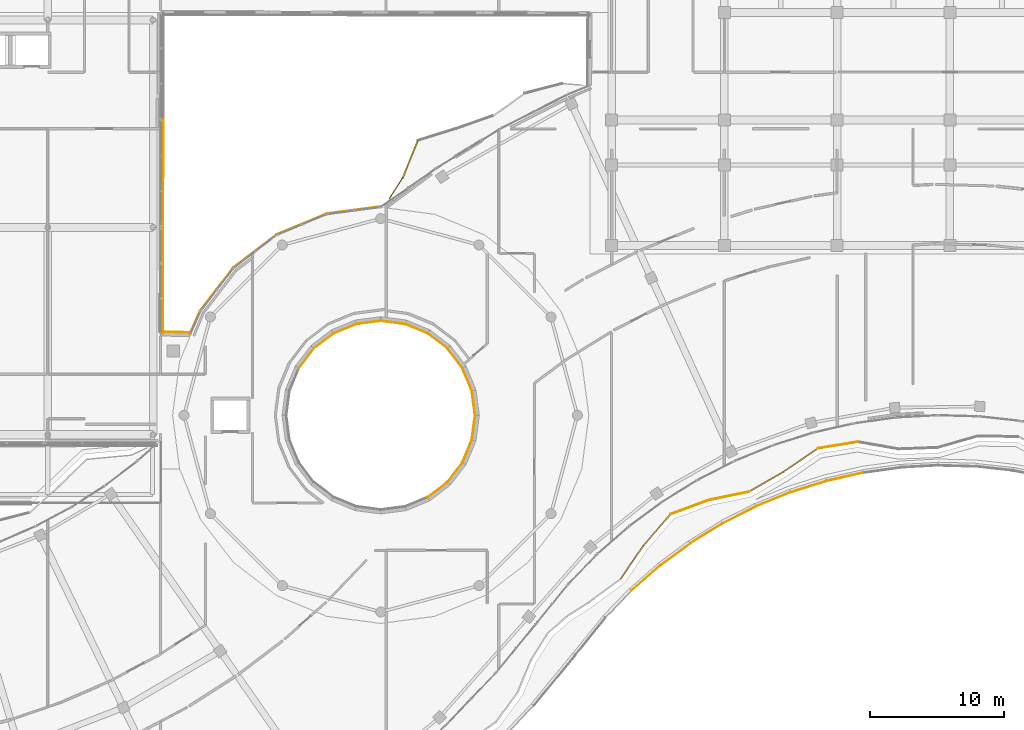
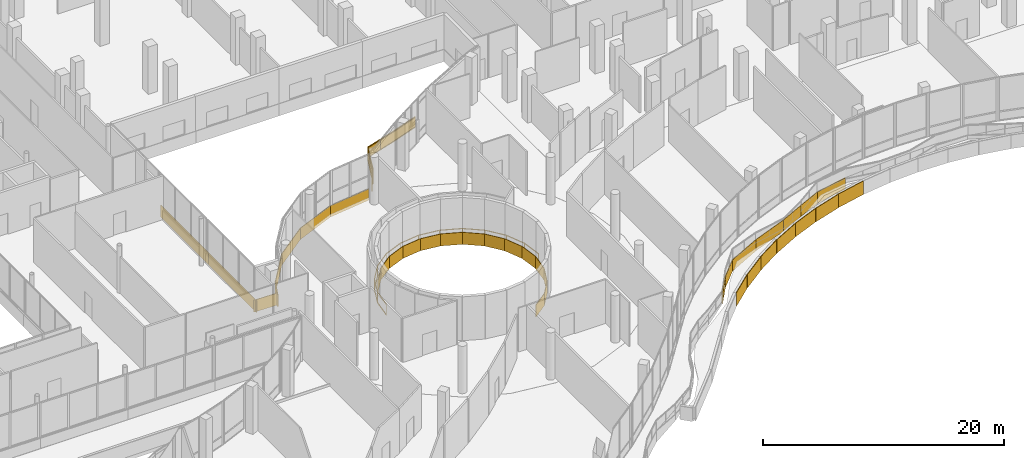
# One storey, part 160 of 168: 37 coverings, 2 railings.
"""IFC4 building model written with IfcOpenShell, lengths in metres."""

import ifcopenshell
import ifcopenshell.guid

model = None  # the IFC model being written
_history = None  # IfcOwnerHistory: only IFC2X3 demands one
_inside = {}  # id of a spatial element -> (the spatial element, [elements in it])
_under = {}  # id of a project, library or spatial element -> (it, [spatial elements below it])
_declared = {}  # id of a project -> (the project, [libraries it declares])
_typed = {}  # id of a type object -> (the type object, [elements of that type])
_made_of = {}  # id of a material, layer set ... -> (it, [elements and type objects made of it])


def new_model(schema):
    """Start an empty IFC model of exactly this schema.

    Asked for "IFC4X3", IfcOpenShell would pick the latest addendum, in which some entities
    have other attributes; the version numbers below select the first issue.
    IFC2X3 requires an IfcOwnerHistory on every rooted entity: one is made here for all.
    """
    global model, _history
    if schema == "IFC4X3":
        model = ifcopenshell.file(schema_version=(4, 3, 0, 0))
    else:
        model = ifcopenshell.file(schema=schema)
    _inside.clear()
    _under.clear()
    _declared.clear()
    _typed.clear()
    _made_of.clear()
    _history = None
    if model.schema == "IFC2X3":
        org = make("IfcOrganization", Name="unknown")
        user = make(
            "IfcPersonAndOrganization",
            ThePerson=make("IfcPerson", FamilyName="unknown"),
            TheOrganization=org,
        )
        app = make(
            "IfcApplication",
            ApplicationDeveloper=org,
            Version="unknown",
            ApplicationFullName="unknown",
            ApplicationIdentifier="unknown",
        )
        _history = make(
            "IfcOwnerHistory",
            OwningUser=user,
            OwningApplication=app,
            ChangeAction="ADDED",
            CreationDate=0,
        )
    return model


def make(cls, **values):
    """One entity of the class cls with the attributes given. An attribute that is None is left unset."""
    return model.create_entity(
        cls, **{name: value for name, value in values.items() if value is not None}
    )


def rooted(cls, **values):
    """An entity with a GlobalId (a new one), such as an element, a storey or a relation."""
    return make(cls, GlobalId=ifcopenshell.guid.new(), OwnerHistory=_history, **values)


def si_unit(unit_type, name, prefix=None):
    """IfcSIUnit, for example si_unit("LENGTHUNIT", "METRE", prefix="MILLI")."""
    return make("IfcSIUnit", UnitType=unit_type, Prefix=prefix, Name=name)


def assignment(units):
    """IfcUnitAssignment: the units of a project."""
    return None if units is None else make("IfcUnitAssignment", Units=units)


def point(xyz):
    """IfcCartesianPoint."""
    return None if xyz is None else make("IfcCartesianPoint", Coordinates=xyz)


def direction(xyz):
    """IfcDirection."""
    return None if xyz is None else make("IfcDirection", DirectionRatios=xyz)


def frame(location, z_axis=None, x_axis=None):
    """IfcAxis2Placement3D, a coordinate frame: its origin and axes. An axis left out is left unset."""
    return make(
        "IfcAxis2Placement3D",
        Location=point(location),
        Axis=direction(z_axis),
        RefDirection=direction(x_axis),
    )


def frame_2d(location, x_axis=None):
    """IfcAxis2Placement2D, a coordinate frame in the plane: its origin and x axis."""
    return make(
        "IfcAxis2Placement2D", Location=point(location), RefDirection=direction(x_axis)
    )


def origin():
    """The frame at (0, 0, 0) with its axes left unset."""
    return frame((0.0, 0.0, 0.0))


def origin_2d():
    """The frame at (0, 0) in the plane with its x axis left unset."""
    return frame_2d((0.0, 0.0))


def place(relative_to, where):
    """IfcLocalPlacement: puts the frame where relative to a parent placement (None: the world)."""
    return make(
        "IfcLocalPlacement", PlacementRelTo=relative_to, RelativePlacement=where
    )


def context(
    kind, dimensions, precision=None, world=None, true_north=None, identifier=None
):
    """IfcGeometricRepresentationContext, for example the 3D "Model" context."""
    return make(
        "IfcGeometricRepresentationContext",
        ContextIdentifier=identifier,
        ContextType=kind,
        CoordinateSpaceDimension=dimensions,
        Precision=precision,
        WorldCoordinateSystem=world,
        TrueNorth=true_north,
    )


def subcontext(parent, identifier, kind, view, scale=None):
    """IfcGeometricRepresentationSubContext, for example "Body" below "Model"."""
    return make(
        "IfcGeometricRepresentationSubContext",
        ContextIdentifier=identifier,
        ContextType=kind,
        ParentContext=parent,
        TargetScale=scale,
        TargetView=view,
    )


def project(units=None, contexts=None):
    """IfcProject with its units and contexts."""
    return rooted(
        "IfcProject",
        Name="project",
        RepresentationContexts=contexts,
        UnitsInContext=assignment(units),
    )


def spatial(cls, under=None, at=None, **own):
    """A site, building, storey or space (cls), placed at a placement, below another one or the project."""
    s = rooted(cls, ObjectPlacement=at, **own)
    if under is not None:
        _under.setdefault(under.id(), (under, []))[1].append(s)
    return s


def polyline(points):
    """IfcPolyline through the points."""
    return make("IfcPolyline", Points=[point(p) for p in points])


def profile(cls, at=None, kind="AREA", **sizes):
    """A parametric profile (cls). Its sizes go by their IFC names, for example OverallWidth=200.0."""
    return make(cls, ProfileType=kind, Position=at, **sizes)


def rectangle(**sizes):
    """IfcRectangleProfileDef."""
    return profile("IfcRectangleProfileDef", **sizes)


def outline(outer, holes=None, kind="AREA"):
    """IfcArbitraryClosedProfileDef: a profile drawn as a closed curve; with holes, ...WithVoids."""
    if holes is None:
        return make("IfcArbitraryClosedProfileDef", ProfileType=kind, OuterCurve=outer)
    return make(
        "IfcArbitraryProfileDefWithVoids",
        ProfileType=kind,
        OuterCurve=outer,
        InnerCurves=holes,
    )


def extrude(swept, where, along, depth):
    """IfcExtrudedAreaSolid: the profile swept, set in the frame where, extruded along a direction by depth."""
    return make(
        "IfcExtrudedAreaSolid",
        SweptArea=swept,
        Position=where,
        ExtrudedDirection=direction(along),
        Depth=depth,
    )


def shape(context_of_items, identifier, shape_type, items):
    """IfcShapeRepresentation: the items that make up one representation, for example the "Body"."""
    return make(
        "IfcShapeRepresentation",
        ContextOfItems=context_of_items,
        RepresentationIdentifier=identifier,
        RepresentationType=shape_type,
        Items=items,
    )


def material(Name=None, Category=None):
    """IfcMaterial."""
    return make("IfcMaterial", Name=Name, Category=Category)


def layer(
    of_material, thickness, ventilated=None, Name=None, Category=None, Priority=None
):
    """IfcMaterialLayer: one layer of a wall or slab, of a material (None: an air gap)."""
    return make(
        "IfcMaterialLayer",
        Material=of_material,
        LayerThickness=thickness,
        IsVentilated=ventilated,
        Name=Name,
        Category=Category,
        Priority=Priority,
    )


def layer_set(layers, Name=None):
    """IfcMaterialLayerSet."""
    return make("IfcMaterialLayerSet", MaterialLayers=layers, LayerSetName=Name)


def made_of(thing, what):
    """Note that an element or type object is made of a material, layer set ...; save() writes the relation."""
    if what is not None:
        _made_of.setdefault(what.id(), (what, []))[1].append(thing)
    return thing


def type_object(cls, material=None, **own):
    """A type object (cls), such as IfcWallType, which elements share."""
    return made_of(rooted(cls, **own), material)


def element(
    cls,
    number,
    at=None,
    inside=None,
    cuts=None,
    type_object=None,
    material=None,
    context=None,
    identifier="Body",
    shape_type=None,
    held_by="IfcProductDefinitionShape",
    body=None,
    shapes=None,
    **own,
):
    """One element of the class cls, such as IfcWall. Its Tag is "e" and its number.

    at: its placement. inside: the storey or other place that contains it. cuts: it is an
    opening in that element (IfcRelVoidsElement). A single representation is given by context,
    identifier, shape_type and body (its items); several are given by shapes. held_by: the class
    of the entity that holds the representations. save() writes the other relations.
    """
    e = rooted(cls, Tag="e%d" % number, ObjectPlacement=at, **own)
    if body is not None:
        shapes = [shape(context, identifier, shape_type, body)]
    if shapes is not None:
        e.Representation = make(held_by, Representations=shapes)
    if inside is not None:
        _inside.setdefault(inside.id(), (inside, []))[1].append(e)
    if cuts is not None:
        rooted(
            "IfcRelVoidsElement", RelatingBuildingElement=cuts, RelatedOpeningElement=e
        )
    if type_object is not None:
        _typed.setdefault(type_object.id(), (type_object, []))[1].append(e)
    return made_of(e, material)


def aggregate(whole, parts):
    """IfcRelAggregates: a whole, such as a stair, and the parts it consists of."""
    return rooted("IfcRelAggregates", RelatingObject=whole, RelatedObjects=parts)


def save(model, path):
    """Write the relations noted so far, then the file.

    IfcRelAggregates (storeys below a building ...), IfcRelContainedInSpatialStructure (elements
    in a storey), IfcRelDefinesByType, IfcRelAssociatesMaterial and IfcRelDeclares: one each for
    every whole, place, type object, material and project.
    """
    for whole, parts in _under.values():
        aggregate(whole, parts)
    for where, things in _inside.values():
        rooted(
            "IfcRelContainedInSpatialStructure",
            RelatedElements=things,
            RelatingStructure=where,
        )
    for kind, things in _typed.values():
        rooted("IfcRelDefinesByType", RelatedObjects=things, RelatingType=kind)
    for what, things in _made_of.values():
        rooted("IfcRelAssociatesMaterial", RelatedObjects=things, RelatingMaterial=what)
    for by, libraries in _declared.values():
        rooted("IfcRelDeclares", RelatingContext=by, RelatedDefinitions=libraries)
    model.write(path)


model = new_model("IFC4")

# Units and contexts
model_context = context("Model", 3, precision=1e-05, world=origin(), true_north=direction((0.0, 1.0)))
body_context = subcontext(model_context, "Body", "Model", "MODEL_VIEW")
ifc_project = project(units=[si_unit("LENGTHUNIT", "METRE"), si_unit("AREAUNIT", "SQUARE_METRE"), si_unit("VOLUMEUNIT", "CUBIC_METRE"), si_unit("PLANEANGLEUNIT", "RADIAN"), si_unit("MASSUNIT", "GRAM", prefix="KILO")], contexts=[model_context])

# Site, building, storey
site_placement = place(None, origin())
site = spatial("IfcSite", under=ifc_project, at=site_placement, CompositionType="ELEMENT")
building_placement = place(site_placement, origin())
building = spatial("IfcBuilding", under=site, at=building_placement, Name="Selatvlak General Hospital", CompositionType="ELEMENT")
storey_placement = place(building_placement, frame((0.0, 0.0, 5.39990234375)))
storey = spatial("IfcBuildingStorey", under=building, at=storey_placement, Name="L01", CompositionType="ELEMENT", Elevation=5.39990234375)

# Coverings
ifc_material_1 = material(Name="PVDF aluminium fascia - ochre yellow", Category="aluminium")
ifc_layer_1 = layer(ifc_material_1, 0.070068359375, Name="PVDF aluminium fascia - ochre yellow", Category="aluminium")
ifc_layer_set_1 = layer_set([ifc_layer_1], Name="PVDF aluminium fascia - ochre yellow")
covering_type_1 = type_object("IfcCoveringType", Name="COV-RB-YEL", PredefinedType="CLADDING", material=ifc_layer_set_1)
covering_1_placement = place(storey_placement, frame((115.885009765625, 41.81005859375, -0.18994140625), z_axis=(0.0, 0.0, 1.0), x_axis=(0.56236074189, 0.826892009867, 0.0)))
element("IfcCovering", 1, at=covering_1_placement, inside=storey, type_object=covering_type_1, Name="L01 De Stijl waving fascia streamer 155", PredefinedType="CLADDING", context=body_context, shape_type="SweptSolid", body=[
    extrude(outline(polyline([(0.0, 0.0), (3.028076171875, -0.529052734375), (3.028076171875, 0.61083984375), (0.0, 1.139892578125), (0.0, 0.0)])), frame((0.0, 0.03515625, 0.0), z_axis=(0.0, -1.0, 0.0), x_axis=(1.0, 0.0, 0.0)), (0.0, 0.0, 1.0), 0.070068359375),
])
covering_2_placement = place(storey_placement, frame((117.589111328125, 44.31494140625, -0.718994140625), z_axis=(0.0, 0.0, 1.0), x_axis=(0.65609781899, 0.754675858841, 0.0)))
element("IfcCovering", 2, at=covering_2_placement, inside=storey, type_object=covering_type_1, Name="L01 De Stijl waving fascia streamer 156", PredefinedType="CLADDING", context=body_context, shape_type="SweptSolid", body=[
    extrude(outline(polyline([(0.0, 0.0), (3.0634765625, -0.4609375), (3.0634765625, 0.678955078125), (0.0, 1.139892578125), (0.0, 0.0)])), frame((0.0, 0.03515625, 0.0), z_axis=(0.0, -1.0, 0.0), x_axis=(1.0, 0.0, 0.0)), (0.0, 0.0, 1.0), 0.070068359375),
])
covering_3_placement = place(storey_placement, frame((119.60009765625, 46.6279296875, -1.179931640625), z_axis=(0.0, 0.0, 1.0), x_axis=(0.937240094393, 0.348684679133, 0.0)))
element("IfcCovering", 3, at=covering_3_placement, inside=storey, type_object=covering_type_1, Name="L01 De Stijl waving fascia streamer 157", PredefinedType="CLADDING", context=body_context, shape_type="SweptSolid", body=[
    extrude(outline(polyline([(0.0, 0.0), (3.05126953125, 0.4169921875), (3.05126953125, 1.556884765625), (0.0, 1.139892578125), (0.0, 0.0)])), frame((0.0, 0.03515625, 0.0), z_axis=(0.0, -1.0, 0.0), x_axis=(1.0, 0.0, 0.0)), (0.0, 0.0, 1.0), 0.070068359375),
])
covering_4_placement = place(storey_placement, frame((122.4609375, 47.69189453125, -0.762939453125), z_axis=(0.0, 0.0, 1.0), x_axis=(0.979746026859, 0.200244158103, 0.0)))
element("IfcCovering", 4, at=covering_4_placement, inside=storey, type_object=covering_type_1, Name="L01 De Stijl waving fascia streamer 158", PredefinedType="CLADDING", context=body_context, shape_type="SweptSolid", body=[
    extrude(outline(polyline([(0.0, 0.0), (3.046875, 0.56201171875), (3.046875, 1.701904296875), (0.0, 1.139892578125), (0.0, 0.0)])), frame((0.0, 0.03515625, 0.0), z_axis=(0.0, -1.0, 0.0), x_axis=(1.0, 0.0, 0.0)), (0.0, 0.0, 1.0), 0.070068359375),
])
covering_5_placement = place(storey_placement, frame((125.447021484375, 48.302978515625, -0.200927734375), z_axis=(0.0, 0.0, 1.0), x_axis=(0.865382777172, 0.501111413733, 0.0)))
element("IfcCovering", 5, at=covering_5_placement, inside=storey, type_object=covering_type_1, Name="L01 De Stijl waving fascia streamer 159", PredefinedType="CLADDING", context=body_context, shape_type="SweptSolid", body=[
    extrude(outline(polyline([(0.0, 0.0), (2.945556640625, -0.279052734375), (2.945556640625, 0.86083984375), (0.0, 1.139892578125), (0.0, 0.0)])), frame((0.0, 0.03515625, 0.0), z_axis=(0.0, -1.0, 0.0), x_axis=(1.0, 0.0, 0.0)), (0.0, 0.0, 1.0), 0.070068359375),
])
covering_6_placement = place(storey_placement, frame((127.998046875, 49.779052734375, -0.47998046875), z_axis=(0.0, 0.0, 1.0), x_axis=(0.824871281948, 0.565320588886, 0.0)))
element("IfcCovering", 6, at=covering_6_placement, inside=storey, type_object=covering_type_1, Name="L01 De Stijl waving fascia streamer 160", PredefinedType="CLADDING", context=body_context, shape_type="SweptSolid", body=[
    extrude(outline(polyline([(0.0, 0.0), (3.10595703125, -0.6298828125), (3.10595703125, 0.510009765625), (0.0, 1.139892578125), (0.0, 0.0)])), frame((0.0, 0.03515625, 0.0), z_axis=(0.0, -1.0, 0.0), x_axis=(1.0, 0.0, 0.0)), (0.0, 0.0, 1.0), 0.070068359375),
])
covering_7_placement = place(storey_placement, frame((130.56103515625, 51.535888671875, -1.10986328125), z_axis=(0.0, 0.0, 1.0), x_axis=(0.98697313626, 0.160885140091, 0.0)))
element("IfcCovering", 7, at=covering_7_placement, inside=storey, type_object=covering_type_1, Name="L01 De Stijl waving fascia streamer 161", PredefinedType="CLADDING", context=body_context, shape_type="SweptSolid", body=[
    extrude(outline(polyline([(0.0, 0.0), (3.00927734375, 0.125), (3.00927734375, 1.264892578125), (0.0, 1.139892578125), (0.0, 0.0)])), frame((0.0, 0.03515625, 0.0), z_axis=(0.0, -1.0, 0.0), x_axis=(1.0, 0.0, 0.0)), (0.0, 0.0, 1.0), 0.070068359375),
])
covering_8_placement = place(storey_placement, frame((100.7548828125, 74.468017578125, -0.2158203125), z_axis=(0.0, 0.0, 1.0), x_axis=(-0.372661677003, -0.927967280939, 0.0)))
element("IfcCovering", 8, at=covering_8_placement, inside=storey, type_object=covering_type_1, Name="L01 De Stijl waving fascia streamer 188", PredefinedType="CLADDING", context=body_context, shape_type="SweptSolid", body=[
    extrude(outline(polyline([(0.0, 0.0), (3.012939453125, -0.321044921875), (3.012939453125, 0.81884765625), (0.0, 1.139892578125), (0.0, 0.0)])), frame((0.0, 0.03515625, 0.0), z_axis=(0.0, -1.0, 0.0), x_axis=(1.0, 0.0, 0.0)), (0.0, 0.0, 1.0), 0.070068359375),
])
ifc_material_2 = material(Name="White Bauhaus fair-faced cladding panel")
ifc_layer_2 = layer(ifc_material_2, 0.054931640625, Name="White Bauhaus fair-faced cladding panel")
ifc_layer_set_2 = layer_set([ifc_layer_2], Name="White Bauhaus fair-faced cladding panel")
covering_type_2 = type_object("IfcCoveringType", Name="COV-WHT1", PredefinedType="CLADDING", material=ifc_layer_set_2)
covering_9_placement = place(storey_placement, frame((82.7099609375, 60.195068359375, -0.27978515625), z_axis=(0.0, 0.0, 1.0), x_axis=(0.999632209807, -0.027119091375, 0.0)))
element("IfcCovering", 9, at=covering_9_placement, inside=storey, type_object=covering_type_2, Name="L01 Bauhaus horizontal white spandrel band 0086", PredefinedType="CLADDING", context=body_context, shape_type="SweptSolid", body=[
    extrude(rectangle(XDim=2.212890625, YDim=0.054931640625, at=origin_2d()), origin(), (0.0, 0.0, 1.0), 1.219970703125),
])
covering_10_placement = place(storey_placement, frame((84.156982421875, 60.89111328125, -0.2998046875), z_axis=(0.0, 0.0, 1.0), x_axis=(0.400301051368, 0.916383690532, 0.0)))
element("IfcCovering", 10, at=covering_10_placement, inside=storey, type_object=covering_type_2, Name="L01 Rotunda white Bauhaus spandrel ring 0087", PredefinedType="CLADDING", context=body_context, shape_type="SweptSolid", body=[
    extrude(rectangle(XDim=1.908935546875, YDim=0.054931640625, at=origin_2d()), origin(), (0.0, 0.0, 1.0), 1.14990234375),
])
for number, where, z_axis, x_axis, name in (
    (11, (85.77587890625, 63.3779296875, -0.2998046875), (0.0, 0.0, 1.0), (0.608747582288, 0.793363965062, 0.0), "L01 Rotunda white Bauhaus spandrel ring 0088"),
    (12, (88.6201171875, 66.221923828125, -0.2998046875), (0.0, 0.0, 1.0), (0.793363965062, 0.608747582288, 0.0), "L01 Rotunda white Bauhaus spandrel ring 0089"),
    (13, (92.10302734375, 68.23291015625, -0.2998046875), (0.0, 0.0, 1.0), (0.923819409341, 0.382828550301, 0.0), "L01 Rotunda white Bauhaus spandrel ring 0090"),
):
    element("IfcCovering", number, at=place(storey_placement, frame(where, z_axis=z_axis, x_axis=x_axis)), inside=storey, type_object=covering_type_2, Name=name, PredefinedType="CLADDING", context=body_context, shape_type="SweptSolid", body=[
        extrude(rectangle(XDim=4.0458984375, YDim=0.054931640625, at=origin_2d()), origin(), (0.0, 0.0, 1.0), 1.14990234375),
    ])
covering_11_placement = place(storey_placement, frame((95.988037109375, 69.27490234375, -0.2998046875), z_axis=(0.0, 0.0, 1.0), x_axis=(0.991419783872, 0.130716533562, 0.0)))
element("IfcCovering", 14, at=covering_11_placement, inside=storey, type_object=covering_type_2, Name="L01 Rotunda white Bauhaus spandrel ring 0091", PredefinedType="CLADDING", context=body_context, shape_type="SweptSolid", body=[
    extrude(rectangle(XDim=4.047119140625, YDim=0.054931640625, at=origin_2d()), origin(), (0.0, 0.0, 1.0), 1.14990234375),
])
for number, where, z_axis, x_axis, name in (
    (15, (81.794921875, 72.030029296875, -0.27978515625), (0.0, 0.0, 1.0), (-0.002513271477, -0.999996841728, 0.0), "L01 Bauhaus horizontal white spandrel band 0098"),
    (16, (81.77490234375, 64.050048828125, -0.27978515625), (0.0, 0.0, 1.0), (-0.002513271477, -0.999996841728, 0.0), "L01 Bauhaus horizontal white spandrel band 0099"),
):
    element("IfcCovering", number, at=place(storey_placement, frame(where, z_axis=z_axis, x_axis=x_axis)), inside=storey, type_object=covering_type_2, Name=name, PredefinedType="CLADDING", context=body_context, shape_type="SweptSolid", body=[
        extrude(rectangle(XDim=7.97998046875, YDim=0.054931640625, at=origin_2d()), origin(), (0.0, 0.0, 1.0), 1.219970703125),
    ])
covering_12_placement = place(storey_placement, frame((100.675048828125, 60.43896484375, -0.27978515625), z_axis=(0.0, 0.0, 1.0), x_axis=(-0.923330901489, 0.384005268657, 0.0)))
element("IfcCovering", 17, at=covering_12_placement, inside=storey, type_object=covering_type_2, Name="L01 Bauhaus horizontal white spandrel band 0100", PredefinedType="CLADDING", context=body_context, shape_type="SweptSolid", body=[
    extrude(rectangle(XDim=1.8798828125, YDim=0.054931640625, at=origin_2d()), origin(), (0.0, 0.0, 1.0), 1.219970703125),
])
covering_13_placement = place(storey_placement, frame((98.9169921875, 60.912109375, -0.27978515625), z_axis=(0.0, 0.0, 1.0), x_axis=(-0.991316813579, 0.131495152443, 0.0)))
element("IfcCovering", 18, at=covering_13_placement, inside=storey, type_object=covering_type_2, Name="L01 Bauhaus horizontal white spandrel band 0101", PredefinedType="CLADDING", context=body_context, shape_type="SweptSolid", body=[
    extrude(rectangle(XDim=1.8779296875, YDim=0.054931640625, at=origin_2d()), origin(), (0.0, 0.0, 1.0), 1.219970703125),
])
covering_14_placement = place(storey_placement, frame((97.097900390625, 60.9140625, -0.27978515625), z_axis=(0.0, 0.0, 1.0), x_axis=(-0.991601332113, -0.129332123433, 0.0)))
element("IfcCovering", 19, at=covering_14_placement, inside=storey, type_object=covering_type_2, Name="L01 Bauhaus horizontal white spandrel band 0102", PredefinedType="CLADDING", context=body_context, shape_type="SweptSolid", body=[
    extrude(rectangle(XDim=1.87890625, YDim=0.054931640625, at=origin_2d()), origin(), (0.0, 0.0, 1.0), 1.219970703125),
])
covering_15_placement = place(storey_placement, frame((95.339111328125, 60.445068359375, -0.27978515625), z_axis=(0.0, 0.0, 1.0), x_axis=(-0.924239792771, -0.381812526586, 0.0)))
element("IfcCovering", 20, at=covering_15_placement, inside=storey, type_object=covering_type_2, Name="L01 Bauhaus horizontal white spandrel band 0103", PredefinedType="CLADDING", context=body_context, shape_type="SweptSolid", body=[
    extrude(rectangle(XDim=1.8798828125, YDim=0.054931640625, at=origin_2d()), origin(), (0.0, 0.0, 1.0), 1.219970703125),
])
for number, where, z_axis, x_axis, name in (
    (21, (93.760986328125, 59.535888671875, -0.27978515625), (0.0, 0.0, 1.0), (-0.79408588232, -0.607805570475, 0.0), "L01 Bauhaus horizontal white spandrel band 0104"),
    (22, (92.472900390625, 58.25, -0.27978515625), (0.0, 0.0, 1.0), (-0.609328984843, -0.792917516662, 0.0), "L01 Bauhaus horizontal white spandrel band 0105"),
    (23, (102.239013671875, 48.464111328125, -0.27978515625), (0.0, 0.0, 1.0), (0.79408588232, 0.607805570475, 0.0), "L01 Bauhaus horizontal white spandrel band 0116"),
    (24, (103.527099609375, 49.75, -0.27978515625), (0.0, 0.0, 1.0), (0.609328984843, 0.792917516662, 0.0), "L01 Bauhaus horizontal white spandrel band 0117"),
):
    element("IfcCovering", number, at=place(storey_placement, frame(where, z_axis=z_axis, x_axis=x_axis)), inside=storey, type_object=covering_type_2, Name=name, PredefinedType="CLADDING", context=body_context, shape_type="SweptSolid", body=[
        extrude(rectangle(XDim=1.87890625, YDim=0.054931640625, at=origin_2d()), origin(), (0.0, 0.0, 1.0), 1.219970703125),
    ])
covering_16_placement = place(storey_placement, frame((104.43896484375, 51.324951171875, -0.27978515625), z_axis=(0.0, 0.0, 1.0), x_axis=(0.384005268657, 0.923330901489, 0.0)))
element("IfcCovering", 25, at=covering_16_placement, inside=storey, type_object=covering_type_2, Name="L01 Bauhaus horizontal white spandrel band 0118", PredefinedType="CLADDING", context=body_context, shape_type="SweptSolid", body=[
    extrude(rectangle(XDim=1.8798828125, YDim=0.054931640625, at=origin_2d()), origin(), (0.0, 0.0, 1.0), 1.219970703125),
])
covering_17_placement = place(storey_placement, frame((104.912109375, 53.0830078125, -0.27978515625), z_axis=(0.0, 0.0, 1.0), x_axis=(0.131495152443, 0.991316813579, 0.0)))
element("IfcCovering", 26, at=covering_17_placement, inside=storey, type_object=covering_type_2, Name="L01 Bauhaus horizontal white spandrel band 0119", PredefinedType="CLADDING", context=body_context, shape_type="SweptSolid", body=[
    extrude(rectangle(XDim=1.8779296875, YDim=0.054931640625, at=origin_2d()), origin(), (0.0, 0.0, 1.0), 1.219970703125),
])
covering_18_placement = place(storey_placement, frame((104.9140625, 54.902099609375, -0.27978515625), z_axis=(0.0, 0.0, 1.0), x_axis=(-0.129332123433, 0.991601332113, 0.0)))
element("IfcCovering", 27, at=covering_18_placement, inside=storey, type_object=covering_type_2, Name="L01 Bauhaus horizontal white spandrel band 0120", PredefinedType="CLADDING", context=body_context, shape_type="SweptSolid", body=[
    extrude(rectangle(XDim=1.87890625, YDim=0.054931640625, at=origin_2d()), origin(), (0.0, 0.0, 1.0), 1.219970703125),
])
covering_19_placement = place(storey_placement, frame((104.445068359375, 56.660888671875, -0.27978515625), z_axis=(0.0, 0.0, 1.0), x_axis=(-0.381812526586, 0.924239792771, 0.0)))
element("IfcCovering", 28, at=covering_19_placement, inside=storey, type_object=covering_type_2, Name="L01 Bauhaus horizontal white spandrel band 0121", PredefinedType="CLADDING", context=body_context, shape_type="SweptSolid", body=[
    extrude(rectangle(XDim=1.8798828125, YDim=0.054931640625, at=origin_2d()), origin(), (0.0, 0.0, 1.0), 1.219970703125),
])
for number, where, z_axis, x_axis, name in (
    (29, (103.535888671875, 58.239013671875, -0.27978515625), (0.0, 0.0, 1.0), (-0.607805570475, 0.79408588232, 0.0), "L01 Bauhaus horizontal white spandrel band 0122"),
    (30, (102.25, 59.527099609375, -0.27978515625), (0.0, 0.0, 1.0), (-0.792917516662, 0.609328984843, 0.0), "L01 Bauhaus horizontal white spandrel band 0123"),
):
    element("IfcCovering", number, at=place(storey_placement, frame(where, z_axis=z_axis, x_axis=x_axis)), inside=storey, type_object=covering_type_2, Name=name, PredefinedType="CLADDING", context=body_context, shape_type="SweptSolid", body=[
        extrude(rectangle(XDim=1.87890625, YDim=0.054931640625, at=origin_2d()), origin(), (0.0, 0.0, 1.0), 1.219970703125),
    ])
covering_20_placement = place(storey_placement, frame((132.580078125, 49.419921875, -0.300048828125), z_axis=(0.0, 0.0, 1.0), x_axis=(-0.975599730687, -0.219556747754, 0.0)))
element("IfcCovering", 31, at=covering_20_placement, inside=storey, type_object=covering_type_2, Name="L01 Roof parapet white Bauhaus coping 0627", PredefinedType="CLADDING", context=body_context, shape_type="SweptSolid", body=[
    extrude(rectangle(XDim=2.81494140625, YDim=0.054931640625, at=origin_2d()), origin(), (0.0, 0.0, 1.0), 1.3701171875),
])
covering_21_placement = place(storey_placement, frame((129.8798828125, 48.68310546875, -0.300048828125), z_axis=(0.0, 0.0, 1.0), x_axis=(-0.953952830356, -0.299956659295, 0.0)))
element("IfcCovering", 32, at=covering_21_placement, inside=storey, type_object=covering_type_2, Name="L01 Roof parapet white Bauhaus coping 0628", PredefinedType="CLADDING", context=body_context, shape_type="SweptSolid", body=[
    extrude(rectangle(XDim=2.81005859375, YDim=0.054931640625, at=origin_2d()), origin(), (0.0, 0.0, 1.0), 1.3701171875),
])
covering_22_placement = place(storey_placement, frame((127.243896484375, 47.741943359375, -0.300048828125), z_axis=(0.0, 0.0, 1.0), x_axis=(-0.925705632534, -0.378244738092, 0.0)))
element("IfcCovering", 33, at=covering_22_placement, inside=storey, type_object=covering_type_2, Name="L01 Roof parapet white Bauhaus coping 0629", PredefinedType="CLADDING", context=body_context, shape_type="SweptSolid", body=[
    extrude(rectangle(XDim=2.81298828125, YDim=0.054931640625, at=origin_2d()), origin(), (0.0, 0.0, 1.0), 1.3701171875),
])
covering_23_placement = place(storey_placement, frame((124.700927734375, 46.56689453125, -0.300048828125), z_axis=(0.0, 0.0, 1.0), x_axis=(-0.891354901099, -0.453306122049, 0.0)))
element("IfcCovering", 34, at=covering_23_placement, inside=storey, type_object=covering_type_2, Name="L01 Roof parapet white Bauhaus coping 0630", PredefinedType="CLADDING", context=body_context, shape_type="SweptSolid", body=[
    extrude(rectangle(XDim=2.81689453125, YDim=0.054931640625, at=origin_2d()), origin(), (0.0, 0.0, 1.0), 1.3701171875),
])
covering_24_placement = place(storey_placement, frame((122.25390625, 45.202880859375, -0.300048828125), z_axis=(0.0, 0.0, 1.0), x_axis=(-0.850444053699, -0.526065501177, 0.0)))
element("IfcCovering", 35, at=covering_24_placement, inside=storey, type_object=covering_type_2, Name="L01 Roof parapet white Bauhaus coping 0631", PredefinedType="CLADDING", context=body_context, shape_type="SweptSolid", body=[
    extrude(rectangle(XDim=2.81103515625, YDim=0.054931640625, at=origin_2d()), origin(), (0.0, 0.0, 1.0), 1.3701171875),
])
covering_25_placement = place(storey_placement, frame((119.94189453125, 43.625, -0.300048828125), z_axis=(0.0, 0.0, 1.0), x_axis=(-0.803991800934, -0.594640382106, 0.0)))
element("IfcCovering", 36, at=covering_25_placement, inside=storey, type_object=covering_type_2, Name="L01 Roof parapet white Bauhaus coping 0632", PredefinedType="CLADDING", context=body_context, shape_type="SweptSolid", body=[
    extrude(rectangle(XDim=2.81298828125, YDim=0.054931640625, at=origin_2d()), origin(), (0.0, 0.0, 1.0), 1.3701171875),
])
covering_26_placement = place(storey_placement, frame((117.7548828125, 41.8759765625, -0.300048828125), z_axis=(0.0, 0.0, 1.0), x_axis=(-0.751954873581, -0.659214584257, 0.0)))
element("IfcCovering", 37, at=covering_26_placement, inside=storey, type_object=covering_type_2, Name="L01 Roof parapet white Bauhaus coping 0633", PredefinedType="CLADDING", context=body_context, shape_type="SweptSolid", body=[
    extrude(rectangle(XDim=2.81396484375, YDim=0.054931640625, at=origin_2d()), origin(), (0.0, 0.0, 1.0), 1.3701171875),
])

# Railings
ifc_material_3 = material(Name="Stainless steel 316 atrium guard", Category="steel")
railing_type_1 = type_object("IfcRailingType", Name="RAIL-ATR", PredefinedType="GUARDRAIL", material=ifc_material_3)
railing_1_placement = place(storey_placement, frame((105.300048828125, 54.0, 0.0)))
element("IfcRailing", 38, at=railing_1_placement, inside=storey, type_object=railing_type_1, Name="L01 rotunda atrium void guard N", PredefinedType="GUARDRAIL", context=body_context, shape_type="SweptSolid", body=[
    extrude(rectangle(XDim=0.068115234375, YDim=0.068115234375, at=origin_2d()), frame((-0.00048828125, 0.0029296875, 1.11572265625), z_axis=(-0.130703112878, 0.991421553268, 0.0), x_axis=(-0.991421553268, -0.130703112878, 0.0)), (0.0, 0.0, 1.0), 1.8994140625),
    extrude(rectangle(XDim=0.068115234375, YDim=0.068115234375, at=origin_2d()), frame((-0.00048828125, 0.0029296875, 0.049072265625), z_axis=(-0.130703112878, 0.991421553268, 0.0), x_axis=(-0.991421553268, -0.130703112878, 0.0)), (0.0, 0.0, 1.0), 1.8994140625),
    extrude(rectangle(XDim=0.068115234375, YDim=0.068115234375, at=origin_2d()), frame((-0.250244140625, 1.8916015625, 1.11572265625), z_axis=(-0.382495099758, 0.923957519944, 0.0), x_axis=(-0.923957519944, -0.382495099758, 0.0)), (0.0, 0.0, 1.0), 1.900146484375),
    extrude(rectangle(XDim=0.068115234375, YDim=0.068115234375, at=origin_2d()), frame((-0.250244140625, 1.8916015625, 0.049072265625), z_axis=(-0.382495099758, 0.923957519944, 0.0), x_axis=(-0.923957519944, -0.382495099758, 0.0)), (0.0, 0.0, 1.0), 1.900146484375),
    extrude(rectangle(XDim=0.068115234375, YDim=0.068115234375, at=origin_2d()), frame((-0.979736328125, 3.65234375, 1.11572265625), z_axis=(-0.608614402838, 0.793466135798, 0.0), x_axis=(-0.793466135798, -0.608614402838, 0.0)), (0.0, 0.0, 1.0), 1.89990234375),
    extrude(rectangle(XDim=0.068115234375, YDim=0.068115234375, at=origin_2d()), frame((-0.979736328125, 3.65234375, 0.049072265625), z_axis=(-0.608614402838, 0.793466135798, 0.0), x_axis=(-0.793466135798, -0.608614402838, 0.0)), (0.0, 0.0, 1.0), 1.89990234375),
    extrude(rectangle(XDim=0.068115234375, YDim=0.068115234375, at=origin_2d()), frame((-2.140380859375, 5.163818359375, 1.11572265625), z_axis=(-0.793466135798, 0.608614402838, 0.0), x_axis=(-0.608614402838, -0.793466135798, 0.0)), (0.0, 0.0, 1.0), 1.89990234375),
    extrude(rectangle(XDim=0.068115234375, YDim=0.068115234375, at=origin_2d()), frame((-2.140380859375, 5.163818359375, 0.049072265625), z_axis=(-0.793466135798, 0.608614402838, 0.0), x_axis=(-0.608614402838, -0.793466135798, 0.0)), (0.0, 0.0, 1.0), 1.89990234375),
    extrude(rectangle(XDim=0.068115234375, YDim=0.068115234375, at=origin_2d()), frame((-3.65283203125, 6.3232421875, 1.11572265625), z_axis=(-0.923957519944, 0.382495099758, 0.0), x_axis=(-0.382495099758, -0.923957519944, 0.0)), (0.0, 0.0, 1.0), 1.900146484375),
    extrude(rectangle(XDim=0.068115234375, YDim=0.068115234375, at=origin_2d()), frame((-3.65283203125, 6.3232421875, 0.049072265625), z_axis=(-0.923957519944, 0.382495099758, 0.0), x_axis=(-0.382495099758, -0.923957519944, 0.0)), (0.0, 0.0, 1.0), 1.900146484375),
    extrude(rectangle(XDim=0.068115234375, YDim=0.068115234375, at=origin_2d()), frame((-5.4140625, 7.051513671875, 1.11572265625), z_axis=(-0.991421553268, 0.130703112878, 0.0), x_axis=(-0.130703112878, -0.991421553268, 0.0)), (0.0, 0.0, 1.0), 1.8994140625),
    extrude(rectangle(XDim=0.068115234375, YDim=0.068115234375, at=origin_2d()), frame((-5.4140625, 7.051513671875, 0.049072265625), z_axis=(-0.991421553268, 0.130703112878, 0.0), x_axis=(-0.130703112878, -0.991421553268, 0.0)), (0.0, 0.0, 1.0), 1.8994140625),
    extrude(rectangle(XDim=0.068115234375, YDim=0.068115234375, at=origin_2d()), frame((-7.302978515625, 7.299560546875, 1.11572265625), z_axis=(-0.991421553268, -0.130703112878, 0.0), x_axis=(0.130703112878, -0.991421553268, 0.0)), (0.0, 0.0, 1.0), 1.8994140625),
    extrude(rectangle(XDim=0.068115234375, YDim=0.068115234375, at=origin_2d()), frame((-7.302978515625, 7.299560546875, 0.049072265625), z_axis=(-0.991421553268, -0.130703112878, 0.0), x_axis=(0.130703112878, -0.991421553268, 0.0)), (0.0, 0.0, 1.0), 1.8994140625),
    extrude(rectangle(XDim=0.068115234375, YDim=0.068115234375, at=origin_2d()), frame((-9.191650390625, 7.0498046875, 1.11572265625), z_axis=(-0.923957519944, -0.382495099758, 0.0), x_axis=(0.382495099758, -0.923957519944, 0.0)), (0.0, 0.0, 1.0), 1.900146484375),
    extrude(rectangle(XDim=0.068115234375, YDim=0.068115234375, at=origin_2d()), frame((-9.191650390625, 7.0498046875, 0.049072265625), z_axis=(-0.923957519944, -0.382495099758, 0.0), x_axis=(0.382495099758, -0.923957519944, 0.0)), (0.0, 0.0, 1.0), 1.900146484375),
    extrude(rectangle(XDim=0.068115234375, YDim=0.068115234375, at=origin_2d()), frame((-10.952392578125, 6.3203125, 1.11572265625), z_axis=(-0.793466135798, -0.608614402838, 0.0), x_axis=(0.608614402838, -0.793466135798, 0.0)), (0.0, 0.0, 1.0), 1.89990234375),
    extrude(rectangle(XDim=0.068115234375, YDim=0.068115234375, at=origin_2d()), frame((-10.952392578125, 6.3203125, 0.049072265625), z_axis=(-0.793466135798, -0.608614402838, 0.0), x_axis=(0.608614402838, -0.793466135798, 0.0)), (0.0, 0.0, 1.0), 1.89990234375),
    extrude(rectangle(XDim=0.068115234375, YDim=0.068115234375, at=origin_2d()), frame((-12.4638671875, 5.15966796875, 1.11572265625), z_axis=(-0.608614402838, -0.793466135798, 0.0), x_axis=(0.793466135798, -0.608614402838, 0.0)), (0.0, 0.0, 1.0), 1.89990234375),
    extrude(rectangle(XDim=0.068115234375, YDim=0.068115234375, at=origin_2d()), frame((-12.4638671875, 5.15966796875, 0.049072265625), z_axis=(-0.608614402838, -0.793466135798, 0.0), x_axis=(0.793466135798, -0.608614402838, 0.0)), (0.0, 0.0, 1.0), 1.89990234375),
    extrude(rectangle(XDim=0.068115234375, YDim=0.068115234375, at=origin_2d()), frame((-13.623291015625, 3.647216796875, 1.11572265625), z_axis=(-0.382495099758, -0.923957519944, 0.0), x_axis=(0.923957519944, -0.382495099758, 0.0)), (0.0, 0.0, 1.0), 1.900146484375),
    extrude(rectangle(XDim=0.068115234375, YDim=0.068115234375, at=origin_2d()), frame((-13.623291015625, 3.647216796875, 0.049072265625), z_axis=(-0.382495099758, -0.923957519944, 0.0), x_axis=(0.923957519944, -0.382495099758, 0.0)), (0.0, 0.0, 1.0), 1.900146484375),
    extrude(rectangle(XDim=0.068115234375, YDim=0.068115234375, at=origin_2d()), frame((-14.3515625, 1.885986328125, 1.11572265625), z_axis=(-0.130703112878, -0.991421553268, 0.0), x_axis=(0.991421553268, -0.130703112878, 0.0)), (0.0, 0.0, 1.0), 1.8994140625),
    extrude(rectangle(XDim=0.068115234375, YDim=0.068115234375, at=origin_2d()), frame((-14.3515625, 1.885986328125, 0.049072265625), z_axis=(-0.130703112878, -0.991421553268, 0.0), x_axis=(0.991421553268, -0.130703112878, 0.0)), (0.0, 0.0, 1.0), 1.8994140625),
    extrude(rectangle(XDim=0.055908203125, YDim=0.055908203125, at=origin_2d()), origin(), (0.0, 0.0, 1.0), 1.078857421875),
    extrude(rectangle(XDim=0.055908203125, YDim=0.055908203125, at=origin_2d()), frame((-0.2490234375, 1.888916015625, 0.0)), (0.0, 0.0, 1.0), 1.078857421875),
    extrude(rectangle(XDim=0.055908203125, YDim=0.055908203125, at=origin_2d()), frame((-0.97802734375, 3.64990234375, 0.0)), (0.0, 0.0, 1.0), 1.078857421875),
    extrude(rectangle(XDim=0.055908203125, YDim=0.055908203125, at=origin_2d()), frame((-2.137939453125, 5.162109375, 0.0)), (0.0, 0.0, 1.0), 1.078857421875),
    extrude(rectangle(XDim=0.055908203125, YDim=0.055908203125, at=origin_2d()), frame((-3.650146484375, 6.322021484375, 0.0)), (0.0, 0.0, 1.0), 1.078857421875),
    extrude(rectangle(XDim=0.055908203125, YDim=0.055908203125, at=origin_2d()), frame((-5.4111328125, 7.051025390625, 0.0)), (0.0, 0.0, 1.0), 1.078857421875),
    extrude(rectangle(XDim=0.055908203125, YDim=0.055908203125, at=origin_2d()), frame((-7.300048828125, 7.300048828125, 0.0)), (0.0, 0.0, 1.0), 1.078857421875),
    extrude(rectangle(XDim=0.055908203125, YDim=0.055908203125, at=origin_2d()), frame((-9.18896484375, 7.051025390625, 0.0)), (0.0, 0.0, 1.0), 1.078857421875),
    extrude(rectangle(XDim=0.055908203125, YDim=0.055908203125, at=origin_2d()), frame((-10.949951171875, 6.322021484375, 0.0)), (0.0, 0.0, 1.0), 1.078857421875),
    extrude(rectangle(XDim=0.055908203125, YDim=0.055908203125, at=origin_2d()), frame((-12.462158203125, 5.162109375, 0.0)), (0.0, 0.0, 1.0), 1.078857421875),
    extrude(rectangle(XDim=0.055908203125, YDim=0.055908203125, at=origin_2d()), frame((-13.6220703125, 3.64990234375, 0.0)), (0.0, 0.0, 1.0), 1.078857421875),
    extrude(rectangle(XDim=0.055908203125, YDim=0.055908203125, at=origin_2d()), frame((-14.35107421875, 1.888916015625, 0.0)), (0.0, 0.0, 1.0), 1.078857421875),
    extrude(rectangle(XDim=0.055908203125, YDim=0.055908203125, at=origin_2d()), frame((-14.60009765625, 0.0, 0.0)), (0.0, 0.0, 1.0), 1.078857421875),
])
ifc_material_4 = material(Name="Stainless steel 316 safety balustrade", Category="steel")
railing_type_2 = type_object("IfcRailingType", Name="RAIL-BAL1", PredefinedType="BALUSTRADE", material=ifc_material_4)
railing_2_placement = place(storey_placement, frame((98.631103515625, 70.135009765625, 0.0)))
element("IfcRailing", 39, at=railing_2_placement, inside=storey, type_object=railing_type_2, Name="L01 continuous curved balcony balustrade 0013", PredefinedType="BALUSTRADE", context=body_context, shape_type="SweptSolid", body=[
    extrude(rectangle(XDim=0.068115234375, YDim=0.068115234375, at=origin_2d()), frame((0.00146484375, 0.00244140625, 1.0859375), z_axis=(0.539260827213, 0.84213880105, 0.0), x_axis=(-0.84213880105, 0.539260827213, 0.0)), (0.0, 0.0, 1.0), 1.83349609375),
    extrude(rectangle(XDim=0.068115234375, YDim=0.068115234375, at=origin_2d()), frame((0.00146484375, 0.00244140625, 0.049072265625), z_axis=(0.539260827213, 0.84213880105, 0.0), x_axis=(-0.84213880105, 0.539260827213, 0.0)), (0.0, 0.0, 1.0), 1.83349609375),
    extrude(outline(polyline([(0.0, 0.0), (1.827392578125, 0.0), (1.827392578125, 0.94189453125), (0.0, 0.94189453125), (0.0, 0.0)])), frame((-0.011962890625, 0.0146484375, 0.0849609375), z_axis=(0.84213880105, -0.539260827213, 0.0), x_axis=(0.539260827213, 0.84213880105, 0.0)), (0.0, 0.0, 1.0), 0.031982421875),
    extrude(rectangle(XDim=0.068115234375, YDim=0.068115234375, at=origin_2d()), frame((0.992919921875, 1.5517578125, 1.0859375), z_axis=(0.372731451543, 0.927939257188, 0.0), x_axis=(-0.927939257188, 0.372731451543, 0.0)), (0.0, 0.0, 1.0), 3.007080078125),
    extrude(rectangle(XDim=0.068115234375, YDim=0.068115234375, at=origin_2d()), frame((0.992919921875, 1.5517578125, 0.049072265625), z_axis=(0.372731451543, 0.927939257188, 0.0), x_axis=(-0.927939257188, 0.372731451543, 0.0)), (0.0, 0.0, 1.0), 3.007080078125),
    extrude(outline(polyline([(0.0, 0.0), (3.0009765625, 0.0), (3.0009765625, 0.94189453125), (0.0, 0.94189453125), (0.0, 0.0)])), frame((0.9775390625, 1.561279296875, 0.0849609375), z_axis=(0.927939257188, -0.372731451543, 0.0), x_axis=(0.372731451543, 0.927939257188, 0.0)), (0.0, 0.0, 1.0), 0.031982421875),
    extrude(rectangle(XDim=0.068115234375, YDim=0.068115234375, at=origin_2d()), frame((2.11767578125, 4.345947265625, 1.0859375), z_axis=(0.95521127648, 0.295924681778, 0.0), x_axis=(-0.295924681778, 0.95521127648, 0.0)), (0.0, 0.0, 1.0), 2.988037109375),
    extrude(rectangle(XDim=0.068115234375, YDim=0.068115234375, at=origin_2d()), frame((2.11767578125, 4.345947265625, 0.049072265625), z_axis=(0.95521127648, 0.295924681778, 0.0), x_axis=(-0.295924681778, 0.95521127648, 0.0)), (0.0, 0.0, 1.0), 2.988037109375),
    extrude(outline(polyline([(0.0, 0.0), (2.98193359375, 0.0), (2.98193359375, 0.94189453125), (0.0, 0.94189453125), (0.0, 0.0)])), frame((2.115478515625, 4.364013671875, 0.0849609375), z_axis=(0.295924681778, -0.95521127648, 0.0), x_axis=(0.95521127648, 0.295924681778, 0.0)), (0.0, 0.0, 1.0), 0.031982421875),
    extrude(rectangle(XDim=0.068115234375, YDim=0.068115234375, at=origin_2d()), frame((4.9775390625, 5.23193359375, 1.0859375), z_axis=(0.943945726248, 0.330100690546, 0.0), x_axis=(-0.330100690546, 0.943945726248, 0.0)), (0.0, 0.0, 1.0), 2.911865234375),
    extrude(rectangle(XDim=0.068115234375, YDim=0.068115234375, at=origin_2d()), frame((4.9775390625, 5.23193359375, 0.049072265625), z_axis=(0.943945726248, 0.330100690546, 0.0), x_axis=(-0.330100690546, 0.943945726248, 0.0)), (0.0, 0.0, 1.0), 2.911865234375),
    extrude(outline(polyline([(0.0, 0.0), (2.90576171875, 0.0), (2.90576171875, 0.94189453125), (0.0, 0.94189453125), (0.0, 0.0)])), frame((4.974609375, 5.25, 0.0849609375), z_axis=(0.330100690546, -0.943945726248, 0.0), x_axis=(0.943945726248, 0.330100690546, 0.0)), (0.0, 0.0, 1.0), 0.031982421875),
    extrude(rectangle(XDim=0.055908203125, YDim=0.055908203125, at=origin_2d()), origin(), (0.0, 0.0, 1.0), 1.049072265625),
    extrude(rectangle(XDim=0.055908203125, YDim=0.055908203125, at=origin_2d()), frame((0.991943359375, 1.549072265625, 0.0)), (0.0, 0.0, 1.0), 1.049072265625),
    extrude(rectangle(XDim=0.055908203125, YDim=0.055908203125, at=origin_2d()), frame((1.553466796875, 2.947021484375, 0.0)), (0.0, 0.0, 1.0), 1.049072265625),
    extrude(rectangle(XDim=0.055908203125, YDim=0.055908203125, at=origin_2d()), frame((2.114990234375, 4.344970703125, 0.0)), (0.0, 0.0, 1.0), 1.049072265625),
    extrude(rectangle(XDim=0.055908203125, YDim=0.055908203125, at=origin_2d()), frame((3.544921875, 4.7880859375, 0.0)), (0.0, 0.0, 1.0), 1.049072265625),
    extrude(rectangle(XDim=0.055908203125, YDim=0.055908203125, at=origin_2d()), frame((4.974853515625, 5.23095703125, 0.0)), (0.0, 0.0, 1.0), 1.049072265625),
    extrude(rectangle(XDim=0.055908203125, YDim=0.055908203125, at=origin_2d()), frame((6.35205078125, 5.71240234375, 0.0)), (0.0, 0.0, 1.0), 1.049072265625),
    extrude(rectangle(XDim=0.055908203125, YDim=0.055908203125, at=origin_2d()), frame((7.72900390625, 6.194091796875, 0.0)), (0.0, 0.0, 1.0), 1.049072265625),
])

save(model, "model.ifc")
